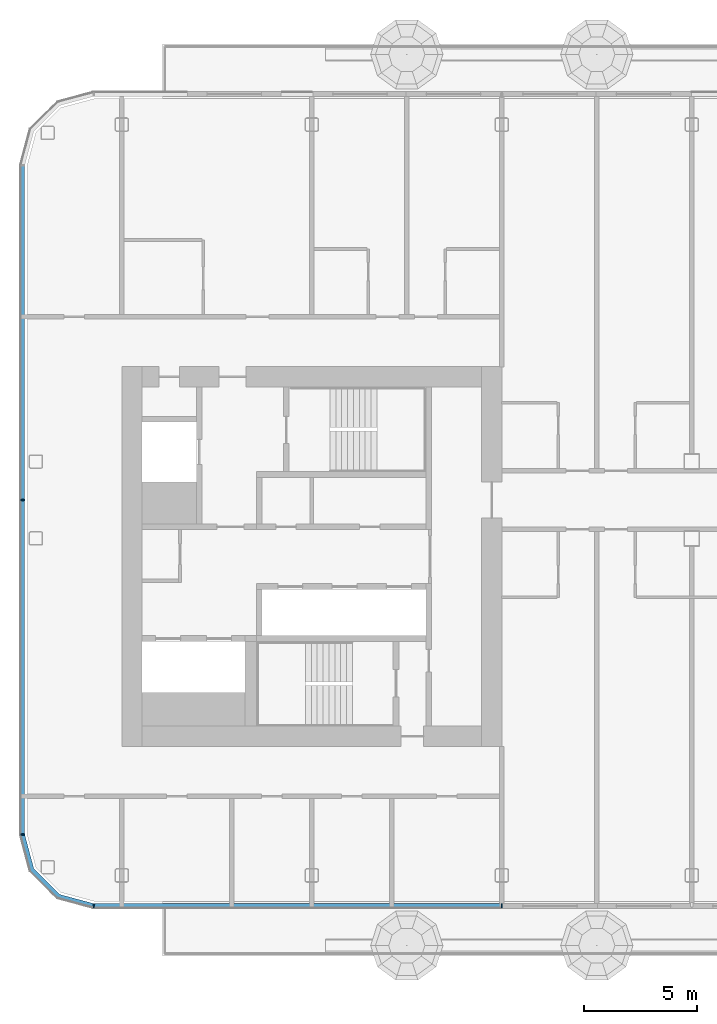
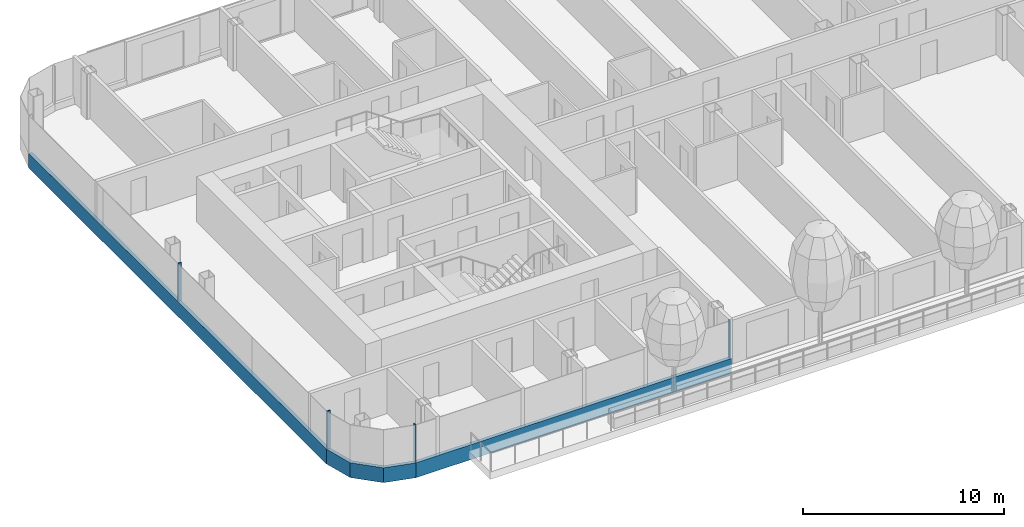
# One storey, part 2 of 29: 7 members, 3 elements without a shape of their own.
"""IFC4 building model written with IfcOpenShell, lengths in metres."""

from ifc_helpers import new_model, si_unit, direction, frame, origin, origin_2d, place, context, subcontext, project, spatial, polyline, rectangle, outline, extrude, material, layer, layer_set, material_profile, profile_set, type_object, element, aggregate, save


model = new_model("IFC4")

# Units and contexts
model_context = context("Model", 3, precision=1e-05, world=origin(), true_north=direction((0.0, 1.0)))
body_context = subcontext(model_context, "Body", "Model", "MODEL_VIEW")
ifc_project = project(units=[si_unit("LENGTHUNIT", "METRE"), si_unit("AREAUNIT", "SQUARE_METRE"), si_unit("VOLUMEUNIT", "CUBIC_METRE"), si_unit("PLANEANGLEUNIT", "RADIAN"), si_unit("MASSUNIT", "GRAM", prefix="KILO")], contexts=[model_context])

# Site, building, storey
site_placement = place(None, origin())
site = spatial("IfcSite", under=ifc_project, at=site_placement, CompositionType="ELEMENT")
building_placement = place(site_placement, origin())
building = spatial("IfcBuilding", under=site, at=building_placement, Name="Hakoniwa Tower and Hamabe Station Hall", CompositionType="ELEMENT")
storey_placement = place(building_placement, frame((0.0, 0.0, 205.800048828125)))
storey = spatial("IfcBuildingStorey", under=building, at=storey_placement, Name="L58", CompositionType="ELEMENT", Elevation=205.800048828125)

# Curtain wall, member
ifc_material_1 = material(Name="Dark low-e laminated glass", Category="glass")
ifc_layer = layer(ifc_material_1, 0.199951171875)
ifc_layer_set = layer_set([ifc_layer], Name="CW-1 UNITISED GUEST")
curtain_wall_type = type_object("IfcCurtainWallType", Name="CW-1 UNITISED GUEST", PredefinedType="NOTDEFINED", material=ifc_layer_set)
curtain_wall_1_placement = place(storey_placement, origin())
curtain_wall_1 = element("IfcCurtainWall", 1, at=curtain_wall_1_placement, inside=storey, type_object=curtain_wall_type, Name="CW-1 curtain wall", PredefinedType="NOTDEFINED")
ifc_material_2 = material(Name="Aluminium 6063-T5 black anodised", Category="aluminium")
ifc_material_profile_1 = material_profile(ifc_material_2, rectangle(XDim=0.199951171875, YDim=0.89990234375, at=origin_2d()), Name="CW SLAB-EDGE BAND 900X200")
ifc_profile_set_1 = profile_set([ifc_material_profile_1], Name="Aluminium 6063-T5 black anodised")
member_type_1 = type_object("IfcMemberType", Name="CW SLAB-EDGE BAND 900X200", PredefinedType="USERDEFINED", material=ifc_profile_set_1)
member_1_placement = place(storey_placement, frame((-38.0, 17.28955078125, -0.10009765625), z_axis=(0.0, -1.0, 0.0), x_axis=(1.0, 0.0, 0.0)))
member_1 = element("IfcMember", 2, at=member_1_placement, type_object=member_type_1, Name="CW-1 transom", ObjectType="TRANSOM", PredefinedType="USERDEFINED", context=body_context, shape_type="SweptSolid", body=[
    extrude(rectangle(XDim=0.199951171875, YDim=0.89990234375, at=origin_2d()), origin(), (0.0, 0.0, 1.0), 29.5791015625),
])

curtain_wall_2_placement = place(storey_placement, origin())
curtain_wall_2 = element("IfcCurtainWall", 3, at=curtain_wall_2_placement, inside=storey, type_object=curtain_wall_type, Name="CW-1 curtain wall", PredefinedType="NOTDEFINED")
member_2_placement = place(storey_placement, frame((0.0, 0.0, -0.550048828125)))
member_2 = element("IfcMember", 4, at=member_2_placement, type_object=member_type_1, Name="CW-1 transom", ObjectType="TRANSOM", PredefinedType="USERDEFINED", context=body_context, shape_type="SweptSolid", body=[
    extrude(outline(polyline([(-38.10009765625, -12.28955078125), (-37.6669921875, -13.9052734375), (-36.455322265625, -15.116943359375), (-34.839599609375, -15.550048828125), (-34.787841796875, -15.35693359375), (-36.351806640625, -14.937744140625), (-37.48779296875, -13.8017578125), (-37.90673828125, -12.23779296875), (-38.10009765625, -12.28955078125)])), origin(), (0.0, 0.0, 1.0), 0.89990234375),
])
aggregate(curtain_wall_2, [member_2])

curtain_wall_3_placement = place(storey_placement, origin())
curtain_wall_3 = element("IfcCurtainWall", 5, at=curtain_wall_3_placement, inside=storey, type_object=curtain_wall_type, Name="CW-1 curtain wall", PredefinedType="NOTDEFINED")
member_3_placement = place(storey_placement, frame((-34.839599609375, -15.449951171875, -0.10009765625), z_axis=(1.0, 0.0, 0.0), x_axis=(0.0, 1.0, 0.0)))
member_3 = element("IfcMember", 6, at=member_3_placement, type_object=member_type_1, Name="CW-1 transom", ObjectType="TRANSOM", PredefinedType="USERDEFINED", context=body_context, shape_type="SweptSolid", body=[
    extrude(rectangle(XDim=0.199951171875, YDim=0.89990234375, at=origin_2d()), origin(), (0.0, 0.0, 1.0), 18.099609375),
])

# Member
ifc_material_3 = material(Name="Aluminium 6063-T5 black anodised", Category="aluminium")
ifc_material_profile_2 = material_profile(ifc_material_3, rectangle(XDim=0.06005859375, YDim=0.179931640625, at=origin_2d()), Name="CW-1 MULLION 60X180")
ifc_profile_set_2 = profile_set([ifc_material_profile_2], Name="Aluminium 6063-T5 black anodised")
member_type_2 = type_object("IfcMemberType", Name="CW-1 MULLION 60X180", PredefinedType="MULLION", material=ifc_profile_set_2)
member_4_placement = place(storey_placement, frame((-37.98193359375, 2.5, 0.349853515625), z_axis=(0.0, 0.0, 1.0), x_axis=(0.0, -1.0, 0.0)))
member_4 = element("IfcMember", 7, at=member_4_placement, type_object=member_type_2, Name="CW-1 mullion", PredefinedType="MULLION", context=body_context, shape_type="SweptSolid", body=[
    extrude(rectangle(XDim=0.06005859375, YDim=0.179931640625, at=origin_2d()), origin(), (0.0, 0.0, 1.0), 2.300048828125),
])

member_5_placement = place(storey_placement, frame((-37.98193359375, -12.28955078125, 0.349853515625), z_axis=(0.0, 0.0, 1.0), x_axis=(0.0, -1.0, 0.0)))
member_5 = element("IfcMember", 8, at=member_5_placement, type_object=member_type_2, Name="CW-1 mullion", PredefinedType="MULLION", context=body_context, shape_type="SweptSolid", body=[
    extrude(rectangle(XDim=0.06005859375, YDim=0.179931640625, at=origin_2d()), origin(), (0.0, 0.0, 1.0), 2.300048828125),
])

aggregate(curtain_wall_1, [member_4, member_5, member_1])

member_6_placement = place(storey_placement, frame((-34.839599609375, -15.431884765625, 0.349853515625), z_axis=(0.0, 0.0, 1.0), x_axis=(1.0, 0.0, 0.0)))
member_6 = element("IfcMember", 9, at=member_6_placement, type_object=member_type_2, Name="CW-1 mullion", PredefinedType="MULLION", context=body_context, shape_type="SweptSolid", body=[
    extrude(rectangle(XDim=0.06005859375, YDim=0.179931640625, at=origin_2d()), origin(), (0.0, 0.0, 1.0), 2.300048828125),
])

member_7_placement = place(storey_placement, frame((-16.800048828125, -15.431884765625, 0.349853515625), z_axis=(0.0, 0.0, 1.0), x_axis=(1.0, 0.0, 0.0)))
member_7 = element("IfcMember", 10, at=member_7_placement, type_object=member_type_2, Name="CW-1 mullion", PredefinedType="MULLION", context=body_context, shape_type="SweptSolid", body=[
    extrude(rectangle(XDim=0.06005859375, YDim=0.179931640625, at=origin_2d()), origin(), (0.0, 0.0, 1.0), 2.300048828125),
])

aggregate(curtain_wall_3, [member_6, member_7, member_3])

save(model, "model.ifc")
